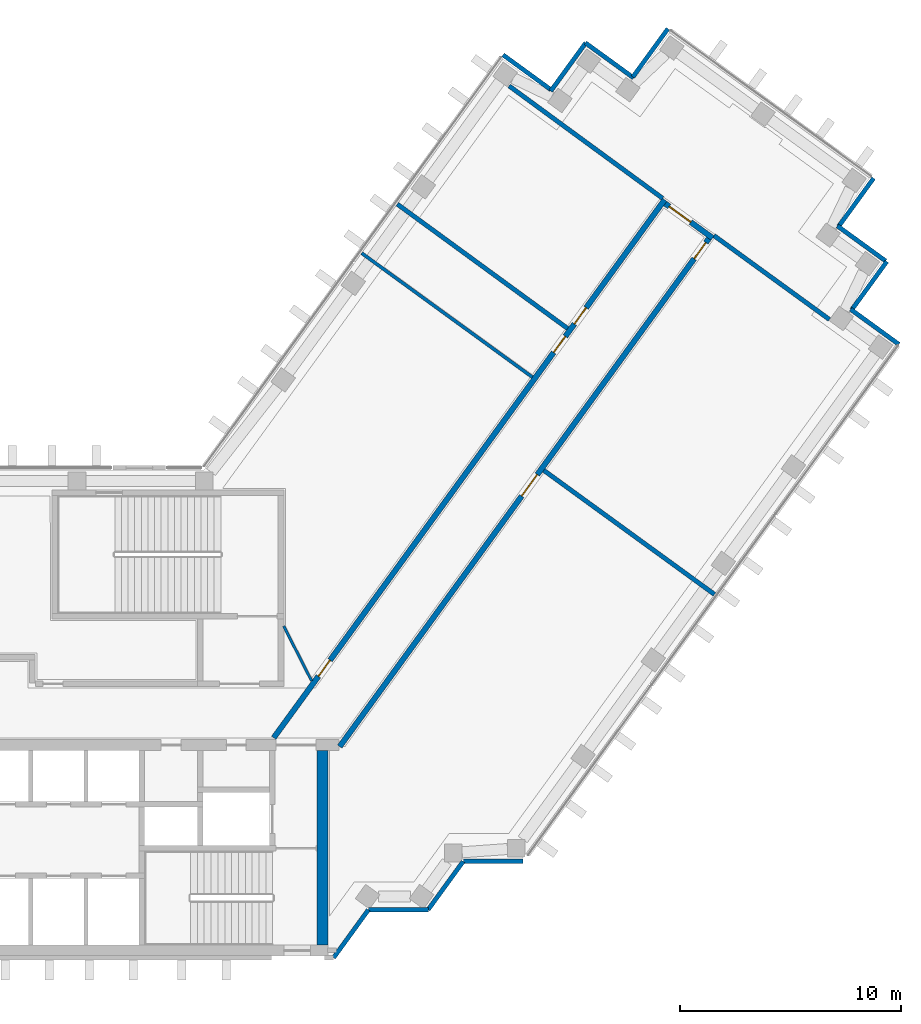
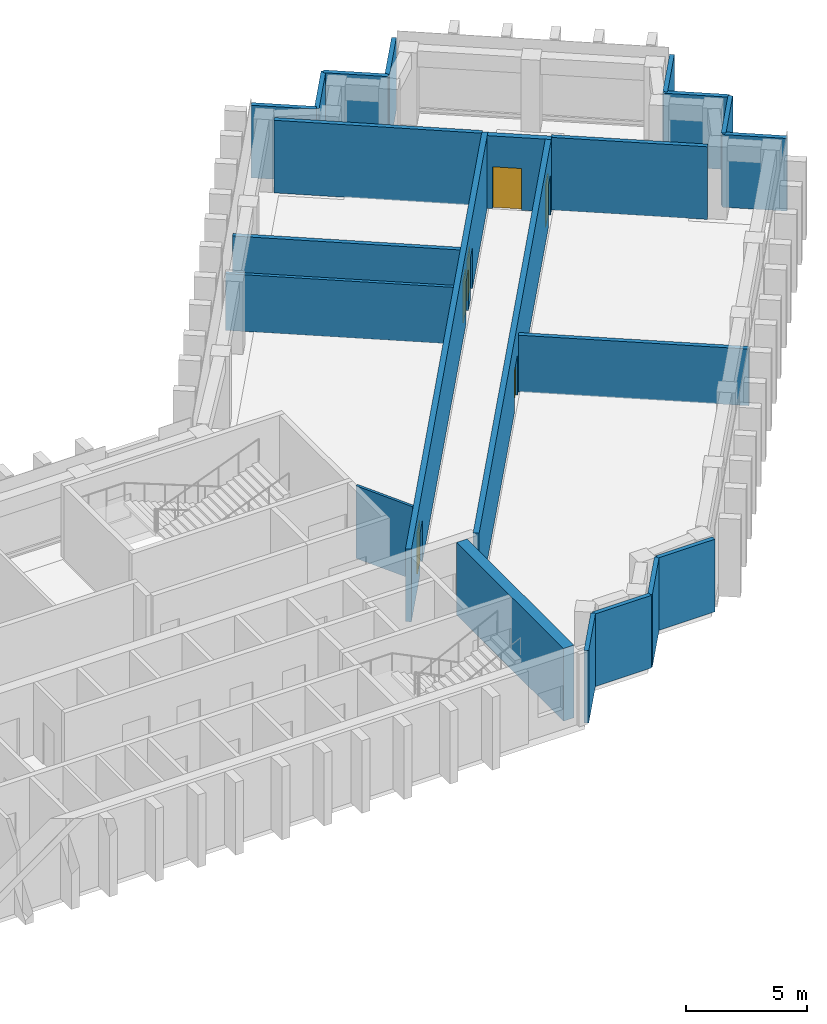
# One storey, part 7 of 10: 22 walls, 6 doors, 6 openings.
"""IFC4 building model written with IfcOpenShell, lengths in metres."""

import ifcopenshell
import ifcopenshell.guid

model = None  # the IFC model being written
_history = None  # IfcOwnerHistory: only IFC2X3 demands one
_inside = {}  # id of a spatial element -> (the spatial element, [elements in it])
_under = {}  # id of a project, library or spatial element -> (it, [spatial elements below it])
_declared = {}  # id of a project -> (the project, [libraries it declares])
_typed = {}  # id of a type object -> (the type object, [elements of that type])
_made_of = {}  # id of a material, layer set ... -> (it, [elements and type objects made of it])


def new_model(schema):
    """Start an empty IFC model of exactly this schema.

    Asked for "IFC4X3", IfcOpenShell would pick the latest addendum, in which some entities
    have other attributes; the version numbers below select the first issue.
    IFC2X3 requires an IfcOwnerHistory on every rooted entity: one is made here for all.
    """
    global model, _history
    if schema == "IFC4X3":
        model = ifcopenshell.file(schema_version=(4, 3, 0, 0))
    else:
        model = ifcopenshell.file(schema=schema)
    _inside.clear()
    _under.clear()
    _declared.clear()
    _typed.clear()
    _made_of.clear()
    _history = None
    if model.schema == "IFC2X3":
        org = make("IfcOrganization", Name="unknown")
        user = make(
            "IfcPersonAndOrganization",
            ThePerson=make("IfcPerson", FamilyName="unknown"),
            TheOrganization=org,
        )
        app = make(
            "IfcApplication",
            ApplicationDeveloper=org,
            Version="unknown",
            ApplicationFullName="unknown",
            ApplicationIdentifier="unknown",
        )
        _history = make(
            "IfcOwnerHistory",
            OwningUser=user,
            OwningApplication=app,
            ChangeAction="ADDED",
            CreationDate=0,
        )
    return model


def make(cls, **values):
    """One entity of the class cls with the attributes given. An attribute that is None is left unset."""
    return model.create_entity(
        cls, **{name: value for name, value in values.items() if value is not None}
    )


def rooted(cls, **values):
    """An entity with a GlobalId (a new one), such as an element, a storey or a relation."""
    return make(cls, GlobalId=ifcopenshell.guid.new(), OwnerHistory=_history, **values)


def si_unit(unit_type, name, prefix=None):
    """IfcSIUnit, for example si_unit("LENGTHUNIT", "METRE", prefix="MILLI")."""
    return make("IfcSIUnit", UnitType=unit_type, Prefix=prefix, Name=name)


def assignment(units):
    """IfcUnitAssignment: the units of a project."""
    return None if units is None else make("IfcUnitAssignment", Units=units)


def point(xyz):
    """IfcCartesianPoint."""
    return None if xyz is None else make("IfcCartesianPoint", Coordinates=xyz)


def direction(xyz):
    """IfcDirection."""
    return None if xyz is None else make("IfcDirection", DirectionRatios=xyz)


def frame(location, z_axis=None, x_axis=None):
    """IfcAxis2Placement3D, a coordinate frame: its origin and axes. An axis left out is left unset."""
    return make(
        "IfcAxis2Placement3D",
        Location=point(location),
        Axis=direction(z_axis),
        RefDirection=direction(x_axis),
    )


def frame_2d(location, x_axis=None):
    """IfcAxis2Placement2D, a coordinate frame in the plane: its origin and x axis."""
    return make(
        "IfcAxis2Placement2D", Location=point(location), RefDirection=direction(x_axis)
    )


def origin():
    """The frame at (0, 0, 0) with its axes left unset."""
    return frame((0.0, 0.0, 0.0))


def place(relative_to, where):
    """IfcLocalPlacement: puts the frame where relative to a parent placement (None: the world)."""
    return make(
        "IfcLocalPlacement", PlacementRelTo=relative_to, RelativePlacement=where
    )


def context(
    kind, dimensions, precision=None, world=None, true_north=None, identifier=None
):
    """IfcGeometricRepresentationContext, for example the 3D "Model" context."""
    return make(
        "IfcGeometricRepresentationContext",
        ContextIdentifier=identifier,
        ContextType=kind,
        CoordinateSpaceDimension=dimensions,
        Precision=precision,
        WorldCoordinateSystem=world,
        TrueNorth=true_north,
    )


def subcontext(parent, identifier, kind, view, scale=None):
    """IfcGeometricRepresentationSubContext, for example "Body" below "Model"."""
    return make(
        "IfcGeometricRepresentationSubContext",
        ContextIdentifier=identifier,
        ContextType=kind,
        ParentContext=parent,
        TargetScale=scale,
        TargetView=view,
    )


def project(units=None, contexts=None):
    """IfcProject with its units and contexts."""
    return rooted(
        "IfcProject",
        Name="project",
        RepresentationContexts=contexts,
        UnitsInContext=assignment(units),
    )


def spatial(cls, under=None, at=None, **own):
    """A site, building, storey or space (cls), placed at a placement, below another one or the project."""
    s = rooted(cls, ObjectPlacement=at, **own)
    if under is not None:
        _under.setdefault(under.id(), (under, []))[1].append(s)
    return s


def profile(cls, at=None, kind="AREA", **sizes):
    """A parametric profile (cls). Its sizes go by their IFC names, for example OverallWidth=200.0."""
    return make(cls, ProfileType=kind, Position=at, **sizes)


def rectangle(**sizes):
    """IfcRectangleProfileDef."""
    return profile("IfcRectangleProfileDef", **sizes)


def extrude(swept, where, along, depth):
    """IfcExtrudedAreaSolid: the profile swept, set in the frame where, extruded along a direction by depth."""
    return make(
        "IfcExtrudedAreaSolid",
        SweptArea=swept,
        Position=where,
        ExtrudedDirection=direction(along),
        Depth=depth,
    )


def shape(context_of_items, identifier, shape_type, items):
    """IfcShapeRepresentation: the items that make up one representation, for example the "Body"."""
    return make(
        "IfcShapeRepresentation",
        ContextOfItems=context_of_items,
        RepresentationIdentifier=identifier,
        RepresentationType=shape_type,
        Items=items,
    )


def material(Name=None, Category=None):
    """IfcMaterial."""
    return make("IfcMaterial", Name=Name, Category=Category)


def layer(
    of_material, thickness, ventilated=None, Name=None, Category=None, Priority=None
):
    """IfcMaterialLayer: one layer of a wall or slab, of a material (None: an air gap)."""
    return make(
        "IfcMaterialLayer",
        Material=of_material,
        LayerThickness=thickness,
        IsVentilated=ventilated,
        Name=Name,
        Category=Category,
        Priority=Priority,
    )


def layer_set(layers, Name=None):
    """IfcMaterialLayerSet."""
    return make("IfcMaterialLayerSet", MaterialLayers=layers, LayerSetName=Name)


def made_of(thing, what):
    """Note that an element or type object is made of a material, layer set ...; save() writes the relation."""
    if what is not None:
        _made_of.setdefault(what.id(), (what, []))[1].append(thing)
    return thing


def type_object(cls, material=None, **own):
    """A type object (cls), such as IfcWallType, which elements share."""
    return made_of(rooted(cls, **own), material)


def element(
    cls,
    number,
    at=None,
    inside=None,
    cuts=None,
    type_object=None,
    material=None,
    context=None,
    identifier="Body",
    shape_type=None,
    held_by="IfcProductDefinitionShape",
    body=None,
    shapes=None,
    **own,
):
    """One element of the class cls, such as IfcWall. Its Tag is "e" and its number.

    at: its placement. inside: the storey or other place that contains it. cuts: it is an
    opening in that element (IfcRelVoidsElement). A single representation is given by context,
    identifier, shape_type and body (its items); several are given by shapes. held_by: the class
    of the entity that holds the representations. save() writes the other relations.
    """
    e = rooted(cls, Tag="e%d" % number, ObjectPlacement=at, **own)
    if body is not None:
        shapes = [shape(context, identifier, shape_type, body)]
    if shapes is not None:
        e.Representation = make(held_by, Representations=shapes)
    if inside is not None:
        _inside.setdefault(inside.id(), (inside, []))[1].append(e)
    if cuts is not None:
        rooted(
            "IfcRelVoidsElement", RelatingBuildingElement=cuts, RelatedOpeningElement=e
        )
    if type_object is not None:
        _typed.setdefault(type_object.id(), (type_object, []))[1].append(e)
    return made_of(e, material)


def fill(opening, filler):
    """IfcRelFillsElement: the door or window that sits in an opening."""
    return rooted(
        "IfcRelFillsElement",
        RelatingOpeningElement=opening,
        RelatedBuildingElement=filler,
    )


def aggregate(whole, parts):
    """IfcRelAggregates: a whole, such as a stair, and the parts it consists of."""
    return rooted("IfcRelAggregates", RelatingObject=whole, RelatedObjects=parts)


def save(model, path):
    """Write the relations noted so far, then the file.

    IfcRelAggregates (storeys below a building ...), IfcRelContainedInSpatialStructure (elements
    in a storey), IfcRelDefinesByType, IfcRelAssociatesMaterial and IfcRelDeclares: one each for
    every whole, place, type object, material and project.
    """
    for whole, parts in _under.values():
        aggregate(whole, parts)
    for where, things in _inside.values():
        rooted(
            "IfcRelContainedInSpatialStructure",
            RelatedElements=things,
            RelatingStructure=where,
        )
    for kind, things in _typed.values():
        rooted("IfcRelDefinesByType", RelatedObjects=things, RelatingType=kind)
    for what, things in _made_of.values():
        rooted("IfcRelAssociatesMaterial", RelatedObjects=things, RelatingMaterial=what)
    for by, libraries in _declared.values():
        rooted("IfcRelDeclares", RelatingContext=by, RelatedDefinitions=libraries)
    model.write(path)


model = new_model("IFC4")

# Units and contexts
model_context = context("Model", 3, precision=1e-05, world=origin(), true_north=direction((0.0, 1.0)))
body_context = subcontext(model_context, "Body", "Model", "MODEL_VIEW")
ifc_project = project(units=[si_unit("LENGTHUNIT", "METRE"), si_unit("AREAUNIT", "SQUARE_METRE"), si_unit("VOLUMEUNIT", "CUBIC_METRE"), si_unit("PLANEANGLEUNIT", "RADIAN"), si_unit("MASSUNIT", "GRAM", prefix="KILO")], contexts=[model_context])

# Site, building, storey
site_placement = place(None, origin())
site = spatial("IfcSite", under=ifc_project, at=site_placement, CompositionType="ELEMENT")
building_placement = place(site_placement, origin())
building = spatial("IfcBuilding", under=site, at=building_placement, Name="Quipu Civic Tower", CompositionType="ELEMENT")
storey_placement = place(building_placement, frame((0.0, 0.0, 168.0)))
storey = spatial("IfcBuildingStorey", under=building, at=storey_placement, Name="L39", CompositionType="ELEMENT", Elevation=168.0)

# Walls
ifc_material_1 = material(Name="Double gypsum plasterboard with mineral wool")
ifc_layer_1 = layer(ifc_material_1, 0.14990234375)
ifc_layer_set_1 = layer_set([ifc_layer_1], Name="Double gypsum plasterboard with mineral wool")
wall_type_1 = type_object("IfcWallType", Name="Acoustic partition 150 plasterboard", PredefinedType="PARTITIONING", material=ifc_layer_set_1)
wall_1_placement = place(storey_placement, frame((29.251220703125, 15.19970703125, 0.0), z_axis=(0.0, 0.0, 1.0), x_axis=(-0.808994684961, 0.587815957341, 0.0)))
element("IfcWall", 1, at=wall_1_placement, inside=storey, type_object=wall_type_1, Name="Partition P09", PredefinedType="PARTITIONING", context=body_context, shape_type="SweptSolid", body=[
    extrude(rectangle(XDim=9.55029296875, YDim=0.14990234375, at=frame_2d((4.775146484375, 0.0))), origin(), (0.0, 0.0, 1.0), 2.85009765625),
])
ifc_material_2 = material(Name="Fired clay blockwork", Category="masonry")
ifc_layer_2 = layer(ifc_material_2, 0.199951171875)
ifc_layer_set_2 = layer_set([ifc_layer_2], Name="Fired clay blockwork")
wall_type_2 = type_object("IfcWallType", Name="Blockwork wall 200", PredefinedType="SOLIDWALL", material=ifc_layer_set_2)
wall_2_placement = place(storey_placement, frame((37.495849609375, 5.36669921875, 0.0), z_axis=(0.0, 0.0, 1.0), x_axis=(-0.809048817734, 0.587741448702, 0.0)))
element("IfcWall", 2, at=wall_2_placement, inside=storey, type_object=wall_type_2, Name="Partition P06", PredefinedType="SOLIDWALL", context=body_context, shape_type="SweptSolid", body=[
    extrude(rectangle(XDim=9.55029296875, YDim=0.199951171875, at=frame_2d((4.775146484375, 0.0))), origin(), (0.0, 0.0, 1.0), 2.85009765625),
])
wall_3_placement = place(storey_placement, frame((37.4677734375, 21.609619140625, 0.0), z_axis=(0.0, 0.0, 1.0), x_axis=(0.80901688725, -0.587785399737, 0.0)))
element("IfcWall", 3, at=wall_3_placement, inside=storey, type_object=wall_type_2, Name="Partition P07", PredefinedType="SOLIDWALL", context=body_context, shape_type="SweptSolid", body=[
    extrude(rectangle(XDim=6.464599609375, YDim=0.199951171875, at=frame_2d((3.232421875, 0.0))), origin(), (0.0, 0.0, 1.0), 3.64990234375),
])
wall_4_placement = place(storey_placement, frame((28.197998046875, 28.38134765625, 0.0), z_axis=(0.0, 0.0, 1.0), x_axis=(0.806977317905, -0.590582431492, 0.0)))
element("IfcWall", 4, at=wall_4_placement, inside=storey, type_object=wall_type_2, Name="Partition P08", PredefinedType="SOLIDWALL", context=body_context, shape_type="SweptSolid", body=[
    extrude(rectangle(XDim=8.61962890625, YDim=0.199951171875, at=frame_2d((4.309814453125, 0.0))), origin(), (0.0, 0.0, 1.0), 3.64990234375),
])
wall_5_placement = place(storey_placement, frame((23.136962890625, 23.031982421875, 0.0), z_axis=(0.0, 0.0, 1.0), x_axis=(0.807661302092, -0.589646691759, 0.0)))
element("IfcWall", 5, at=wall_5_placement, inside=storey, type_object=wall_type_2, Name="Partition P11", PredefinedType="SOLIDWALL", context=body_context, shape_type="SweptSolid", body=[
    extrude(rectangle(XDim=9.550048828125, YDim=0.199951171875, at=frame_2d((4.77490234375, 0.0))), origin(), (0.0, 0.0, 1.0), 2.85009765625),
])
ifc_material_3 = material(Name="Concrete C70/85", Category="concrete")
ifc_layer_3 = layer(ifc_material_3, 0.5)
ifc_layer_set_3 = layer_set([ifc_layer_3], Name="Concrete C70/85")
wall_type_3 = type_object("IfcWallType", Name="Core wall 500", PredefinedType="SHEAR", material=ifc_layer_set_3)
wall_6_placement = place(storey_placement, frame((19.75, -10.5, 0.0), z_axis=(0.0, 0.0, 1.0), x_axis=(0.0, 1.0, 0.0)))
element("IfcWall", 6, at=wall_6_placement, inside=storey, type_object=wall_type_3, Name="Core wall", PredefinedType="SHEAR", context=body_context, shape_type="SweptSolid", body=[
    extrude(rectangle(XDim=8.800048828125, YDim=0.5, at=frame_2d((4.39990234375, 0.0))), origin(), (0.0, 0.0, 1.0), 3.64990234375),
])

# Wall, openings, doors
ifc_material_4 = material(Name="Concrete C50/60", Category="concrete")
ifc_layer_4 = layer(ifc_material_4, 0.25)
ifc_layer_set_4 = layer_set([ifc_layer_4], Name="Concrete C50/60")
wall_type_4 = type_object("IfcWallType", Name="Corridor wall 250 concrete", PredefinedType="SOLIDWALL", material=ifc_layer_set_4)
wall_7_placement = place(storey_placement, frame((17.544921875, -1.124755859375, 0.0), z_axis=(0.0, 0.0, 1.0), x_axis=(0.587786330937, 0.809016210693, 0.0)))
wall_7 = element("IfcWall", 7, at=wall_7_placement, inside=storey, type_object=wall_type_4, Name="Corridor wall C01", PredefinedType="SOLIDWALL", context=body_context, shape_type="SweptSolid", body=[
    extrude(rectangle(XDim=30.10302734375, YDim=0.25, at=frame_2d((15.051513671875, 0.0))), origin(), (0.0, 0.0, 1.0), 3.64990234375),
])
opening_1_placement = place(wall_7_placement, frame((3.44140625, 0.0, 0.0)))
opening_1 = element("IfcOpeningElement", 8, at=opening_1_placement, cuts=wall_7, Name="Opening D001", PredefinedType="OPENING", context=body_context, shape_type="SweptSolid", body=[
    extrude(rectangle(XDim=0.89990234375, YDim=2.10009765625, at=frame_2d((0.449951171875, 1.050048828125))), frame((0.0, 0.135009765625, 0.0), z_axis=(0.0, -1.0, 0.0), x_axis=(1.0, 0.0, 0.0)), (0.0, 0.0, 1.0), 0.27001953125),
])
opening_2_placement = place(wall_7_placement, frame((23.15771484375, 0.0, 0.0)))
opening_2 = element("IfcOpeningElement", 9, at=opening_2_placement, cuts=wall_7, Name="Opening D003", PredefinedType="OPENING", context=body_context, shape_type="SweptSolid", body=[
    extrude(rectangle(XDim=0.89990234375, YDim=2.10009765625, at=frame_2d((0.449951171875, 1.050048828125))), frame((0.0, 0.135009765625, 0.0), z_axis=(0.0, -1.0, 0.0), x_axis=(1.0, 0.0, 0.0)), (0.0, 0.0, 1.0), 0.27001953125),
])
opening_3_placement = place(wall_7_placement, frame((21.5576171875, 0.0, 0.0)))
opening_3 = element("IfcOpeningElement", 10, at=opening_3_placement, cuts=wall_7, Name="Opening D002", PredefinedType="OPENING", context=body_context, shape_type="SweptSolid", body=[
    extrude(rectangle(XDim=0.89990234375, YDim=2.10009765625, at=frame_2d((0.449951171875, 1.050048828125))), frame((0.0, 0.135009765625, 0.0), z_axis=(0.0, -1.0, 0.0), x_axis=(1.0, 0.0, 0.0)), (0.0, 0.0, 1.0), 0.27001953125),
])
ifc_material_5 = material(Name="Fire rated timber door set with metal frame", Category="wood")
door_type_1 = type_object("IfcDoorType", Name="Single door 900 x 2100 FD60", OperationType="NOTDEFINED", PredefinedType="DOOR", material=ifc_material_5)
door_1_placement = place(opening_1_placement, origin())
door_1 = element("IfcDoor", 11, at=door_1_placement, inside=storey, type_object=door_type_1, Name="Door D001", OperationType="SINGLE_SWING_LEFT", OverallHeight=2.10009765625, OverallWidth=0.89990234375, PredefinedType="DOOR", context=body_context, shape_type="SweptSolid", body=[
    extrude(rectangle(XDim=0.89990234375, YDim=2.10009765625, at=frame_2d((0.449951171875, 1.050048828125))), frame((0.0, 0.02490234375, 0.0), z_axis=(0.0, -1.0, 0.0), x_axis=(1.0, 0.0, 0.0)), (0.0, 0.0, 1.0), 0.050048828125),
])
fill(opening_1, door_1)
door_2_placement = place(opening_2_placement, origin())
door_2 = element("IfcDoor", 12, at=door_2_placement, inside=storey, type_object=door_type_1, Name="Door D003", OperationType="SINGLE_SWING_LEFT", OverallHeight=2.10009765625, OverallWidth=0.89990234375, PredefinedType="DOOR", context=body_context, shape_type="SweptSolid", body=[
    extrude(rectangle(XDim=0.89990234375, YDim=2.10009765625, at=frame_2d((0.449951171875, 1.050048828125))), frame((0.0, 0.02490234375, 0.0), z_axis=(0.0, -1.0, 0.0), x_axis=(1.0, 0.0, 0.0)), (0.0, 0.0, 1.0), 0.050048828125),
])
fill(opening_2, door_2)
door_3_placement = place(opening_3_placement, origin())
door_3 = element("IfcDoor", 13, at=door_3_placement, inside=storey, type_object=door_type_1, Name="Door D002", OperationType="SINGLE_SWING_RIGHT", OverallHeight=2.10009765625, OverallWidth=0.89990234375, PredefinedType="DOOR", context=body_context, shape_type="SweptSolid", body=[
    extrude(rectangle(XDim=0.89990234375, YDim=2.10009765625, at=frame_2d((0.449951171875, 1.050048828125))), frame((0.0, 0.02490234375, 0.0), z_axis=(0.0, -1.0, 0.0), x_axis=(1.0, 0.0, 0.0)), (0.0, 0.0, 1.0), 0.050048828125),
])
fill(opening_3, door_3)

# Wall, opening, door
wall_8_placement = place(storey_placement, frame((35.2666015625, 23.054443359375, 0.0), z_axis=(0.0, 0.0, 1.0), x_axis=(0.809038743598, -0.587755315891, 0.0)))
wall_8 = element("IfcWall", 14, at=wall_8_placement, inside=storey, type_object=wall_type_4, Name="Corridor wall C02", PredefinedType="SOLIDWALL", context=body_context, shape_type="SweptSolid", body=[
    extrude(rectangle(XDim=2.650146484375, YDim=0.25, at=frame_2d((1.3251953125, 0.0))), origin(), (0.0, 0.0, 1.0), 3.64990234375),
])
opening_4_placement = place(wall_8_placement, frame((0.224365234375, 0.0, 0.0)))
opening_4 = element("IfcOpeningElement", 15, at=opening_4_placement, cuts=wall_8, Name="Opening D006", PredefinedType="OPENING", context=body_context, shape_type="SweptSolid", body=[
    extrude(rectangle(XDim=1.199951171875, YDim=2.10009765625, at=frame_2d((0.60009765625, 1.050048828125))), frame((0.0, 0.135009765625, 0.0), z_axis=(0.0, -1.0, 0.0), x_axis=(1.0, 0.0, 0.0)), (0.0, 0.0, 1.0), 0.27001953125),
])
ifc_material_6 = material(Name="Fire rated timber door set with metal frame", Category="wood")
door_type_2 = type_object("IfcDoorType", Name="Single door 1200 x 2100 FD60", OperationType="NOTDEFINED", PredefinedType="DOOR", material=ifc_material_6)
door_4_placement = place(opening_4_placement, origin())
door_4 = element("IfcDoor", 16, at=door_4_placement, inside=storey, type_object=door_type_2, Name="Door D006", OperationType="SINGLE_SWING_LEFT", OverallHeight=2.10009765625, OverallWidth=1.199951171875, PredefinedType="DOOR", context=body_context, shape_type="SweptSolid", body=[
    extrude(rectangle(XDim=1.199951171875, YDim=2.10009765625, at=frame_2d((0.60009765625, 1.050048828125))), frame((0.0, 0.02490234375, 0.0), z_axis=(0.0, -1.0, 0.0), x_axis=(1.0, 0.0, 0.0)), (0.0, 0.0, 1.0), 0.050048828125),
])
fill(opening_4, door_4)

# Wall, openings, doors
wall_9_placement = place(storey_placement, frame((37.236083984375, 21.46923828125, 0.0), z_axis=(0.0, 0.0, 1.0), x_axis=(-0.58778344073, -0.809018310549, 0.0)))
wall_9 = element("IfcWall", 17, at=wall_9_placement, inside=storey, type_object=wall_type_4, Name="Corridor wall C03", PredefinedType="SOLIDWALL", context=body_context, shape_type="SweptSolid", body=[
    extrude(rectangle(XDim=28.42041015625, YDim=0.25, at=frame_2d((14.210205078125, 0.0))), origin(), (0.0, 0.0, 1.0), 3.64990234375),
])
opening_5_placement = place(wall_9_placement, frame((13.205078125, 0.0, 0.0)))
opening_5 = element("IfcOpeningElement", 18, at=opening_5_placement, cuts=wall_9, Name="Opening D004", PredefinedType="OPENING", context=body_context, shape_type="SweptSolid", body=[
    extrude(rectangle(XDim=1.199951171875, YDim=2.10009765625, at=frame_2d((0.60009765625, 1.050048828125))), frame((0.0, 0.135009765625, 0.0), z_axis=(0.0, -1.0, 0.0), x_axis=(1.0, 0.0, 0.0)), (0.0, 0.0, 1.0), 0.27001953125),
])
opening_6_placement = place(wall_9_placement, frame((0.224365234375, 0.0, 0.0)))
opening_6 = element("IfcOpeningElement", 19, at=opening_6_placement, cuts=wall_9, Name="Opening D005", PredefinedType="OPENING", context=body_context, shape_type="SweptSolid", body=[
    extrude(rectangle(XDim=0.89990234375, YDim=2.10009765625, at=frame_2d((0.449951171875, 1.050048828125))), frame((0.0, 0.135009765625, 0.0), z_axis=(0.0, -1.0, 0.0), x_axis=(1.0, 0.0, 0.0)), (0.0, 0.0, 1.0), 0.27001953125),
])
door_5_placement = place(opening_5_placement, origin())
door_5 = element("IfcDoor", 20, at=door_5_placement, inside=storey, type_object=door_type_2, Name="Door D004", OperationType="SINGLE_SWING_LEFT", OverallHeight=2.10009765625, OverallWidth=1.199951171875, PredefinedType="DOOR", context=body_context, shape_type="SweptSolid", body=[
    extrude(rectangle(XDim=1.199951171875, YDim=2.10009765625, at=frame_2d((0.60009765625, 1.050048828125))), frame((0.0, 0.02490234375, 0.0), z_axis=(0.0, -1.0, 0.0), x_axis=(1.0, 0.0, 0.0)), (0.0, 0.0, 1.0), 0.050048828125),
])
fill(opening_5, door_5)
door_6_placement = place(opening_6_placement, origin())
door_6 = element("IfcDoor", 21, at=door_6_placement, inside=storey, type_object=door_type_1, Name="Door D005", OperationType="SINGLE_SWING_LEFT", OverallHeight=2.10009765625, OverallWidth=0.89990234375, PredefinedType="DOOR", context=body_context, shape_type="SweptSolid", body=[
    extrude(rectangle(XDim=0.89990234375, YDim=2.10009765625, at=frame_2d((0.449951171875, 1.050048828125))), frame((0.0, 0.02490234375, 0.0), z_axis=(0.0, -1.0, 0.0), x_axis=(1.0, 0.0, 0.0)), (0.0, 0.0, 1.0), 0.050048828125),
])
fill(opening_6, door_6)

# Walls
ifc_material_7 = material(Name="Gypsum plasterboard on light gauge framing")
ifc_layer_5 = layer(ifc_material_7, 0.1201171875)
ifc_layer_set_5 = layer_set([ifc_layer_5], Name="Gypsum plasterboard on light gauge framing")
wall_type_5 = type_object("IfcWallType", Name="Partition 120 plasterboard", PredefinedType="PARTITIONING", material=ifc_layer_set_5)
wall_10_placement = place(storey_placement, frame((18.0, 3.925048828125, 0.0), z_axis=(0.0, 0.0, 1.0), x_axis=(0.453950796792, -0.891026752736, 0.0)))
element("IfcWall", 22, at=wall_10_placement, inside=storey, type_object=wall_type_5, Name="Partition P12", PredefinedType="PARTITIONING", context=body_context, shape_type="SweptSolid", body=[
    extrude(rectangle(XDim=2.77783203125, YDim=0.1201171875, at=frame_2d((1.388916015625, 0.0))), origin(), (0.0, 0.0, 1.0), 3.64990234375),
])
ifc_material_8 = material(Name="Precast concrete C40/50", Category="concrete")
wall_type_6 = type_object("IfcWallType", Name="Precast cladding wall", PredefinedType="SOLIDWALL", material=ifc_material_8)
wall_11_placement = place(storey_placement, frame((20.253173828125, -11.083251953125, 0.0), z_axis=(0.0, 0.0, 1.0), x_axis=(0.587766567315, 0.809030569476, 0.0)))
element("IfcWall", 23, at=wall_11_placement, inside=storey, type_object=wall_type_6, Name="Precast cladding wall L39 16", PredefinedType="SOLIDWALL", context=body_context, shape_type="SweptSolid", body=[
    extrude(rectangle(XDim=2.687744140625, YDim=0.199951171875, at=frame_2d((1.34375, 0.0))), origin(), (0.0, 0.0, 1.0), 3.64990234375),
])
wall_12_placement = place(storey_placement, frame((21.8427734375, -8.90380859375, 0.0), z_axis=(0.0, 0.0, 1.0), x_axis=(1.0, 0.0, 0.0)))
element("IfcWall", 24, at=wall_12_placement, inside=storey, type_object=wall_type_6, Name="Precast cladding wall L39 17", PredefinedType="SOLIDWALL", context=body_context, shape_type="SweptSolid", body=[
    extrude(rectangle(XDim=2.699951171875, YDim=0.199951171875, at=frame_2d((1.35009765625, 0.0))), origin(), (0.0, 0.0, 1.0), 3.64990234375),
])
wall_13_placement = place(storey_placement, frame((24.533203125, -8.90869140625, 0.0), z_axis=(0.0, 0.0, 1.0), x_axis=(0.587720002413, 0.809064397168, 0.0)))
element("IfcWall", 25, at=wall_13_placement, inside=storey, type_object=wall_type_6, Name="Precast cladding wall L39 18", PredefinedType="SOLIDWALL", context=body_context, shape_type="SweptSolid", body=[
    extrude(rectangle(XDim=2.7001953125, YDim=0.199951171875, at=frame_2d((1.35009765625, 0.0))), origin(), (0.0, 0.0, 1.0), 3.64990234375),
])
for number, where, z_axis, x_axis, name in (
    (26, (26.1298828125, -6.71923828125, 0.0), (0.0, 0.0, 1.0), (1.0, 0.0, 0.0), "Precast cladding wall L39 19"),
    (27, (45.84228515625, 16.6845703125, 0.0), (0.0, 0.0, 1.0), (-0.808958916286, 0.58786518162, 0.0), "Precast cladding wall L39 21"),
    (28, (43.70947265625, 18.249267578125, 0.0), (0.0, 0.0, 1.0), (0.587762999008, 0.809033161865, 0.0), "Precast cladding wall L39 22"),
    (29, (45.2451171875, 20.4560546875, 0.0), (0.0, 0.0, 1.0), (-0.809033161865, 0.587762999008, 0.0), "Precast cladding wall L39 23"),
    (30, (43.112548828125, 22.020263671875, 0.0), (0.0, 0.0, 1.0), (0.587762999008, 0.809033161865, 0.0), "Precast cladding wall L39 24"),
    (31, (35.3876953125, 30.97021484375, 0.0), (0.0, 0.0, 1.0), (-0.587762999008, -0.809033161865, 0.0), "Precast cladding wall L39 26"),
    (32, (33.837890625, 28.743896484375, 0.0), (0.0, 0.0, 1.0), (-0.809033161865, 0.587762999008, 0.0), "Precast cladding wall L39 27"),
    (33, (31.67041015625, 30.33349609375, 0.0), (0.0, 0.0, 1.0), (-0.587762999008, -0.809033161865, 0.0), "Precast cladding wall L39 28"),
    (34, (30.105712890625, 28.2001953125, 0.0), (0.0, 0.0, 1.0), (-0.809033161865, 0.587762999008, 0.0), "Precast cladding wall L39 29"),
):
    element("IfcWall", number, at=place(storey_placement, frame(where, z_axis=z_axis, x_axis=x_axis)), inside=storey, type_object=wall_type_6, Name=name, PredefinedType="SOLIDWALL", context=body_context, shape_type="SweptSolid", body=[
        extrude(rectangle(XDim=2.699951171875, YDim=0.199951171875, at=frame_2d((1.35009765625, 0.0))), origin(), (0.0, 0.0, 1.0), 3.64990234375),
    ])

save(model, "model.ifc")
